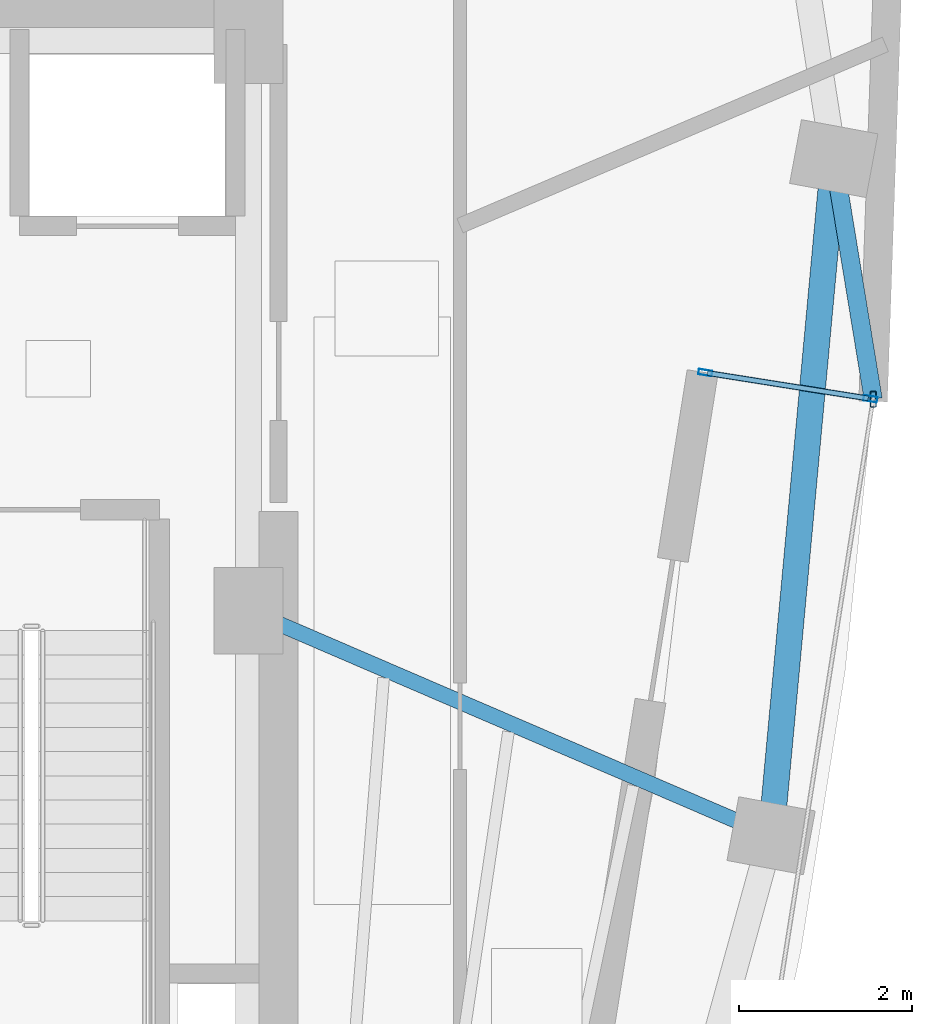
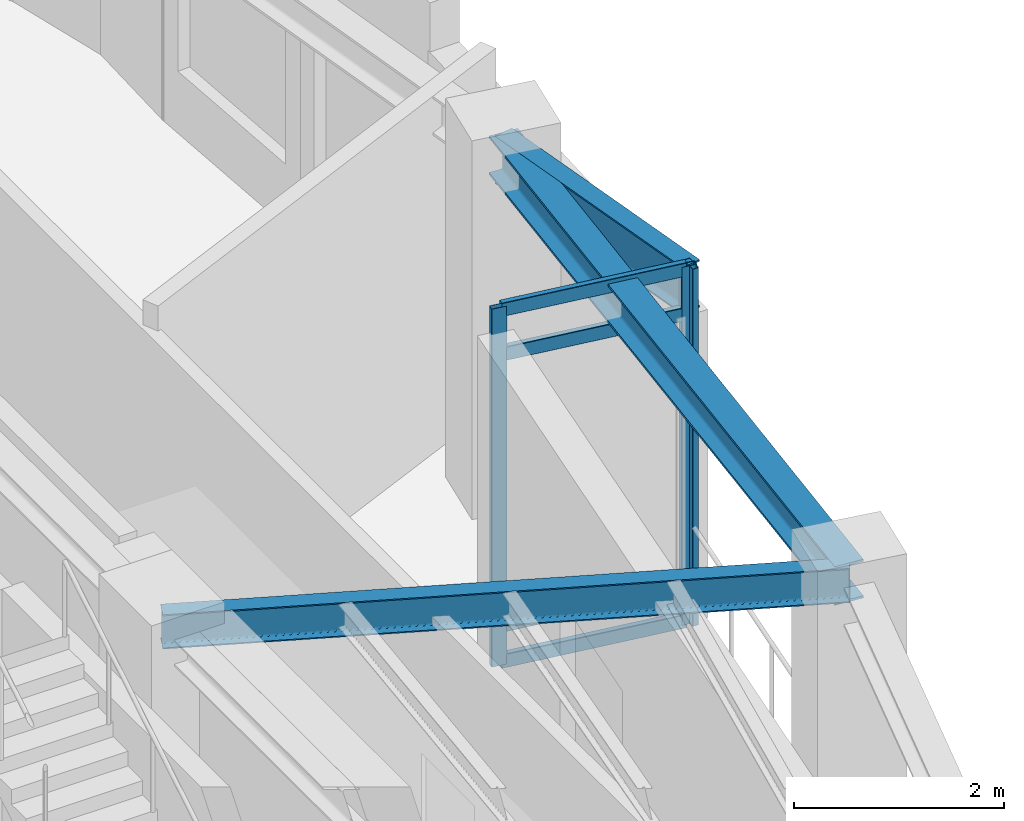
# One storey, part 7 of 14: 7 members, 3 beams, 1 element without a shape of its own.
"""IFC4 building model written with IfcOpenShell, lengths in metres."""

from ifc_helpers import new_model, si_unit, direction, frame, origin, origin_2d, place, context, subcontext, project, spatial, hollow_rectangle, i_section, extrude, material, layer, layer_set, material_profile, profile_set, type_object, element, aggregate, save


model = new_model("IFC4")

# Units and contexts
model_context = context("Model", 3, precision=1e-05, world=origin(), true_north=direction((0.0, 1.0)))
body_context = subcontext(model_context, "Body", "Model", "MODEL_VIEW")
ifc_project = project(units=[si_unit("LENGTHUNIT", "METRE"), si_unit("AREAUNIT", "SQUARE_METRE"), si_unit("VOLUMEUNIT", "CUBIC_METRE"), si_unit("PLANEANGLEUNIT", "RADIAN"), si_unit("MASSUNIT", "GRAM", prefix="KILO")], contexts=[model_context])

# Site, building, storey
site_placement = place(None, origin())
site = spatial("IfcSite", under=ifc_project, at=site_placement, CompositionType="ELEMENT")
building_placement = place(site_placement, origin())
building = spatial("IfcBuilding", under=site, at=building_placement, Name="Ndelora Gate Hotel", CompositionType="ELEMENT")
storey_placement = place(building_placement, frame((0.0, 0.0, 277.199951171875)))
storey = spatial("IfcBuildingStorey", under=building, at=storey_placement, Name="L69", CompositionType="ELEMENT", Elevation=277.199951171875)

# Beams
ifc_material_1 = material(Name="Steel S355", Category="steel")
ifc_material_profile_1 = material_profile(ifc_material_1, i_section(OverallWidth=0.179931640625, OverallDepth=0.39990234375, WebThickness=0.008544921875, FlangeThickness=0.013427734375, FilletRadius=0.02099609375, at=origin_2d()), Name="IPE 400")
ifc_profile_set_1 = profile_set([ifc_material_profile_1], Name="Steel S355")
beam_type_1 = type_object("IfcBeamType", Name="BM-RAD-400", PredefinedType="BEAM", material=ifc_profile_set_1)
beam_1_placement = place(storey_placement, frame((8.0, 0.0, 3.949951171875), z_axis=(0.918526539717, -0.395359324964, 0.0), x_axis=(0.395359324964, 0.918526539717, 0.0)))
element("IfcBeam", 1, at=beam_1_placement, inside=storey, type_object=beam_type_1, Name="L69 Radial Floor Girder 7", PredefinedType="BEAM", context=body_context, shape_type="SweptSolid", body=[
    extrude(i_section(OverallWidth=0.179931640625, OverallDepth=0.39990234375, WebThickness=0.008544921875, FlangeThickness=0.013427734375, FilletRadius=0.02099609375, at=origin_2d()), origin(), (0.0, 0.0, 1.0), 6.58642578125),
])
ifc_material_profile_2 = material_profile(ifc_material_1, i_section(OverallWidth=0.2099609375, OverallDepth=0.550048828125, WebThickness=0.010986328125, FlangeThickness=0.01708984375, FilletRadius=0.02392578125, at=origin_2d()), Name="IPE 550")
ifc_profile_set_2 = profile_set([ifc_material_profile_2], Name="Steel S355")
beam_type_2 = type_object("IfcBeamType", Name="BM-RAD-550", PredefinedType="BEAM", material=ifc_profile_set_2)
beam_2_placement = place(storey_placement, frame((14.77490234375, 5.232177734375, 3.875), z_axis=(0.161788839152, -0.98682540073, 0.0), x_axis=(0.98682540073, 0.161788839152, 0.0)))
element("IfcBeam", 2, at=beam_2_placement, inside=storey, type_object=beam_type_2, Name="L69 Sky-Garden Loggia Column Bracket 3", PredefinedType="BEAM", context=body_context, shape_type="SweptSolid", body=[
    extrude(i_section(OverallWidth=0.2099609375, OverallDepth=0.550048828125, WebThickness=0.010986328125, FlangeThickness=0.01708984375, FilletRadius=0.02392578125, at=origin_2d()), origin(), (0.0, 0.0, 1.0), 2.82177734375),
])
ifc_material_profile_3 = material_profile(ifc_material_1, i_section(OverallWidth=0.300048828125, OverallDepth=0.449951171875, WebThickness=0.013916015625, FlangeThickness=0.02587890625, FilletRadius=0.027099609375, at=origin_2d()), Name="HEB 450")
ifc_profile_set_3 = profile_set([ifc_material_profile_3], Name="Steel S355")
beam_type_3 = type_object("IfcBeamType", Name="BM-RING-450", PredefinedType="SPANDREL", material=ifc_profile_set_3)
beam_3_placement = place(storey_placement, frame((14.0498046875, -2.60400390625, 3.925048828125), z_axis=(0.092138400608, 0.995746210203, 0.0), x_axis=(-0.995746210203, 0.092138400608, 0.0)))
element("IfcBeam", 3, at=beam_3_placement, inside=storey, type_object=beam_type_3, Name="L69 Perimeter Spandrel Girder 7", PredefinedType="SPANDREL", context=body_context, shape_type="SweptSolid", body=[
    extrude(i_section(OverallWidth=0.300048828125, OverallDepth=0.449951171875, WebThickness=0.013916015625, FlangeThickness=0.02587890625, FilletRadius=0.027099609375, at=origin_2d()), origin(), (0.0, 0.0, 1.0), 7.86962890625),
])

# Curtain wall, members
ifc_material_2 = material(Name="Bronze Anodised Unitised Aluminium and Low-E Glass", Category="aluminium")
ifc_layer = layer(ifc_material_2, 0.199951171875)
ifc_layer_set = layer_set([ifc_layer], Name="Bronze Anodised Unitised Aluminium and Low-E Glass")
curtain_wall_type = type_object("IfcCurtainWallType", Name="CW-SYS-3", PredefinedType="NOTDEFINED", material=ifc_layer_set)
curtain_wall_placement = place(storey_placement, origin())
curtain_wall = element("IfcCurtainWall", 4, at=curtain_wall_placement, inside=storey, type_object=curtain_wall_type, Name="L69 Sky-Garden Loggia Side Curtain Wall CW3-2", PredefinedType="NOTDEFINED")
ifc_material_3 = material(Name="Bronze Anodised Aluminium 6063-T6", Category="aluminium")
ifc_material_profile_4 = material_profile(ifc_material_3, hollow_rectangle(XDim=0.06494140625, YDim=0.159912109375, WallThickness=0.00390625, InnerFilletRadius=0.00390625, OuterFilletRadius=0.008056640625, at=origin_2d()), Name="ALU 160x65x4")
ifc_profile_set_4 = profile_set([ifc_material_profile_4], Name="Bronze Anodised Aluminium 6063-T6")
member_type_1 = type_object("IfcMemberType", Name="MB-CW-MUL150", PredefinedType="MULLION", material=ifc_profile_set_4)
member_1_placement = place(storey_placement, frame((15.19921875, 2.452392578125, -0.00390625), z_axis=(0.0, 0.0, 1.0), x_axis=(-0.15644781816, -0.987686225576, 0.0)))
member_1 = element("IfcMember", 5, at=member_1_placement, type_object=member_type_1, Name="CW3 mullion 1", PredefinedType="MULLION", context=body_context, shape_type="SweptSolid", body=[
    extrude(hollow_rectangle(XDim=0.06494140625, YDim=0.159912109375, WallThickness=0.00390625, InnerFilletRadius=0.00390625, OuterFilletRadius=0.008056640625, at=origin_2d()), origin(), (0.0, 0.0, 1.0), 4.157958984375),
])
member_2_placement = place(storey_placement, frame((13.2880859375, 2.755126953125, -0.00390625), z_axis=(0.0, 0.0, 1.0), x_axis=(-0.15644781816, -0.987686225576, 0.0)))
member_2 = element("IfcMember", 6, at=member_2_placement, type_object=member_type_1, Name="CW3 mullion 2", PredefinedType="MULLION", context=body_context, shape_type="SweptSolid", body=[
    extrude(hollow_rectangle(XDim=0.06494140625, YDim=0.159912109375, WallThickness=0.00390625, InnerFilletRadius=0.00390625, OuterFilletRadius=0.008056640625, at=origin_2d()), origin(), (0.0, 0.0, 1.0), 4.157958984375),
])
ifc_material_profile_5 = material_profile(ifc_material_3, hollow_rectangle(XDim=0.070068359375, YDim=0.179931640625, WallThickness=0.0048828125, InnerFilletRadius=0.0048828125, OuterFilletRadius=0.010009765625, at=origin_2d()), Name="ALU 180x70x5")
ifc_profile_set_5 = profile_set([ifc_material_profile_5], Name="Bronze Anodised Aluminium 6063-T6")
member_type_2 = type_object("IfcMemberType", Name="MB-CW-MUL180", PredefinedType="MULLION", material=ifc_profile_set_5)
member_3_placement = place(storey_placement, frame((15.2314453125, 2.447509765625, 0.0), z_axis=(0.0, 0.0, 1.0), x_axis=(1.0, 0.0, 0.0)))
member_3 = element("IfcMember", 7, at=member_3_placement, type_object=member_type_2, Name="L69 Sky-Garden Loggia Corner Mullion Post 2", PredefinedType="MULLION", context=body_context, shape_type="SweptSolid", body=[
    extrude(hollow_rectangle(XDim=0.070068359375, YDim=0.179931640625, WallThickness=0.0048828125, InnerFilletRadius=0.0048828125, OuterFilletRadius=0.010009765625, at=origin_2d()), origin(), (0.0, 0.0, 1.0), 4.150146484375),
])
ifc_material_profile_6 = material_profile(ifc_material_3, hollow_rectangle(XDim=0.06494140625, YDim=0.159912109375, WallThickness=0.00390625, InnerFilletRadius=0.00390625, OuterFilletRadius=0.008056640625, at=origin_2d()), Name="ALU 160x65x4")
ifc_profile_set_6 = profile_set([ifc_material_profile_6], Name="Bronze Anodised Aluminium 6063-T6")
member_type_3 = type_object("IfcMemberType", Name="MB-CW-TRN150", PredefinedType="USERDEFINED", material=ifc_profile_set_6)
member_4_placement = place(storey_placement, frame((15.173095703125, 2.45654296875, 0.032470703125), z_axis=(-0.987687120531, 0.156442168027, 0.0), x_axis=(-0.156442168027, -0.987687120531, 0.0)))
member_4 = element("IfcMember", 8, at=member_4_placement, type_object=member_type_3, Name="CW3 transom 1.1", ObjectType="TRANSOM", PredefinedType="USERDEFINED", context=body_context, shape_type="SweptSolid", body=[
    extrude(hollow_rectangle(XDim=0.06494140625, YDim=0.159912109375, WallThickness=0.00390625, InnerFilletRadius=0.00390625, OuterFilletRadius=0.008056640625, at=origin_2d()), origin(), (0.0, 0.0, 1.0), 1.882080078125),
])
member_5_placement = place(storey_placement, frame((15.173095703125, 2.45654296875, 0.449951171875), z_axis=(-0.987687120531, 0.156442168027, 0.0), x_axis=(-0.156442168027, -0.987687120531, 0.0)))
member_5 = element("IfcMember", 9, at=member_5_placement, type_object=member_type_3, Name="CW3 transom 1.2", ObjectType="TRANSOM", PredefinedType="USERDEFINED", context=body_context, shape_type="SweptSolid", body=[
    extrude(hollow_rectangle(XDim=0.06494140625, YDim=0.159912109375, WallThickness=0.00390625, InnerFilletRadius=0.00390625, OuterFilletRadius=0.008056640625, at=origin_2d()), origin(), (0.0, 0.0, 1.0), 1.882080078125),
])
member_6_placement = place(storey_placement, frame((15.173095703125, 2.45654296875, 3.60009765625), z_axis=(-0.987687120531, 0.156442168027, 0.0), x_axis=(-0.156442168027, -0.987687120531, 0.0)))
member_6 = element("IfcMember", 10, at=member_6_placement, type_object=member_type_3, Name="CW3 transom 1.3", ObjectType="TRANSOM", PredefinedType="USERDEFINED", context=body_context, shape_type="SweptSolid", body=[
    extrude(hollow_rectangle(XDim=0.06494140625, YDim=0.159912109375, WallThickness=0.00390625, InnerFilletRadius=0.00390625, OuterFilletRadius=0.008056640625, at=origin_2d()), origin(), (0.0, 0.0, 1.0), 1.882080078125),
])
member_7_placement = place(storey_placement, frame((15.173095703125, 2.45654296875, 4.117431640625), z_axis=(-0.987687120531, 0.156442168027, 0.0), x_axis=(-0.156442168027, -0.987687120531, 0.0)))
member_7 = element("IfcMember", 11, at=member_7_placement, type_object=member_type_3, Name="CW3 transom 1.4", ObjectType="TRANSOM", PredefinedType="USERDEFINED", context=body_context, shape_type="SweptSolid", body=[
    extrude(hollow_rectangle(XDim=0.06494140625, YDim=0.159912109375, WallThickness=0.00390625, InnerFilletRadius=0.00390625, OuterFilletRadius=0.008056640625, at=origin_2d()), origin(), (0.0, 0.0, 1.0), 1.882080078125),
])
aggregate(curtain_wall, [member_1, member_2, member_4, member_5, member_6, member_7, member_3])

save(model, "model.ifc")
